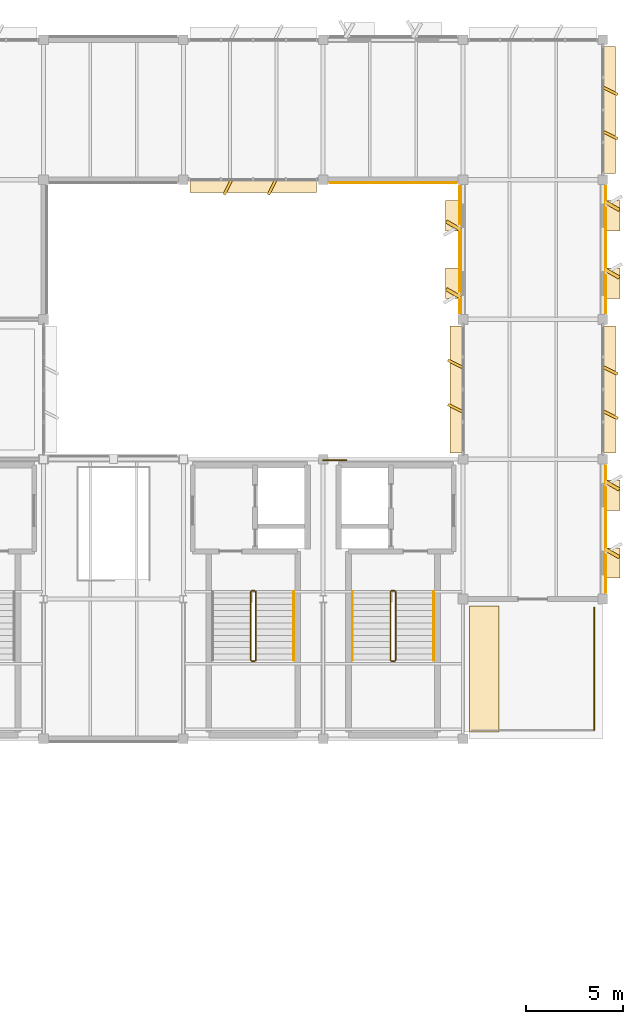
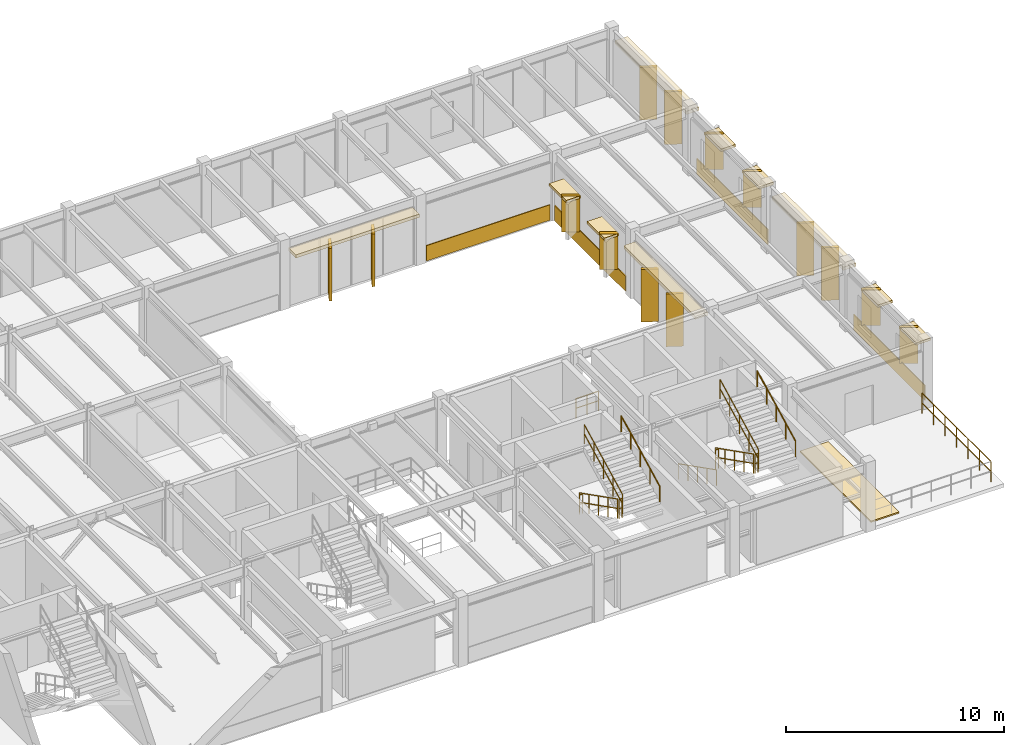
# One storey, part 22 of 23: 29 coverings, 13 railings.
"""IFC4 building model written with IfcOpenShell, lengths in metres."""

from ifc_helpers import new_model, si_unit, direction, frame, frame_2d, origin, origin_2d, place, context, subcontext, project, spatial, polyline, rectangle, circle, outline, extrude, material, layer, layer_set, type_object, element, save


model = new_model("IFC4")

# Units and contexts
model_context = context("Model", 3, precision=1e-05, world=origin(), true_north=direction((0.0, 1.0)))
body_context = subcontext(model_context, "Body", "Model", "MODEL_VIEW")
ifc_project = project(units=[si_unit("LENGTHUNIT", "METRE"), si_unit("AREAUNIT", "SQUARE_METRE"), si_unit("VOLUMEUNIT", "CUBIC_METRE"), si_unit("PLANEANGLEUNIT", "RADIAN"), si_unit("MASSUNIT", "GRAM", prefix="KILO")], contexts=[model_context])

# Site, building, storey
site_placement = place(None, origin())
site = spatial("IfcSite", under=ifc_project, at=site_placement, CompositionType="ELEMENT")
building_placement = place(site_placement, origin())
building = spatial("IfcBuilding", under=site, at=building_placement, Name="Sillqori Civic Hall", CompositionType="ELEMENT")
storey_placement = place(building_placement, frame((0.0, 0.0, 21.89990234375)))
storey = spatial("IfcBuildingStorey", under=building, at=storey_placement, Name="L06", CompositionType="ELEMENT", Elevation=21.89990234375)

# Coverings
ifc_material_1 = material(Name="Cochabamba Honed Limestone Cladding", Category="masonry")
ifc_layer_1 = layer(ifc_material_1, 0.044921875)
ifc_layer_set_1 = layer_set([ifc_layer_1], Name="Cochabamba Honed Limestone Cladding")
covering_type_1 = type_object("IfcCoveringType", Name="COV-CLAD-LIME", PredefinedType="CLADDING", material=ifc_layer_set_1)
covering_1_placement = place(storey_placement, frame((86.070068359375, 107.679931640625, 3.01220703125), z_axis=(0.0, 0.0, 1.0), x_axis=(-1.0, 0.0, 0.0)))
element("IfcCovering", 1, at=covering_1_placement, inside=storey, type_object=covering_type_1, Name="L06 curtain-wall limestone solar hood L06-11-15-S", PredefinedType="CLADDING", context=body_context, shape_type="SweptSolid", body=[
    extrude(rectangle(XDim=6.5400390625, YDim=0.679931640625, at=frame_2d((3.27001953125, 0.0))), origin(), (0.0, 0.0, 1.0), 0.179931640625),
])
for number, where, z_axis, x_axis, name in (
    (2, (83.93896484375, 107.949951171875, 0.06005859375), (0.0, 0.0, 1.0), (-0.44709226377, -0.894487846579, 0.0), "L06 curtain-wall angled stone fin L06-11-15-S.1"),
    (3, (81.660888671875, 107.949951171875, 0.06005859375), (0.0, 0.0, 1.0), (-0.44709226377, -0.894487846579, 0.0), "L06 curtain-wall angled stone fin L06-11-15-S.2"),
):
    element("IfcCovering", number, at=place(storey_placement, frame(where, z_axis=z_axis, x_axis=x_axis)), inside=storey, type_object=covering_type_1, Name=name, PredefinedType="CLADDING", context=body_context, shape_type="SweptSolid", body=[
        extrude(rectangle(XDim=0.804931640625, YDim=0.139892578125, at=frame_2d((0.40234375, 0.0))), origin(), (0.0, 0.0, 1.0), 2.9521484375),
    ])
for number, where, z_axis, x_axis, name in (
    (4, (93.27001953125, 107.840087890625, 0.0400390625), (0.0, 0.0, 1.0), (-1.0, 0.0, 0.0), "L06 limestone spandrel cladding L06-12-15-S"),
    (5, (100.9599609375, 93.27001953125, 0.0400390625), (0.0, 0.0, 1.0), (0.0, -1.0, 0.0), "L06 limestone spandrel cladding L06-13-12-E"),
):
    element("IfcCovering", number, at=place(storey_placement, frame(where, z_axis=z_axis, x_axis=x_axis)), inside=storey, type_object=covering_type_1, Name=name, PredefinedType="CLADDING", context=body_context, shape_type="SweptSolid", body=[
        extrude(rectangle(XDim=6.5400390625, YDim=0.044921875, at=frame_2d((3.27001953125, 0.0))), origin(), (0.0, 0.0, 1.0), 0.860107421875),
    ])
covering_2_placement = place(storey_placement, frame((100.919921875, 92.4619140625, 0.830078125), z_axis=(0.0, 0.0, 1.0), x_axis=(0.866113839764, -0.499846793097, 0.0)))
element("IfcCovering", 6, at=covering_2_placement, inside=storey, type_object=covering_type_1, Name="Sawtooth limestone angled reveal cheek L06-13-12-E.1", PredefinedType="CLADDING", context=body_context, shape_type="SweptSolid", body=[
    extrude(rectangle(XDim=0.849853515625, YDim=0.179931640625, at=frame_2d((0.4248046875, 0.0))), origin(), (0.0, 0.0, 1.0), 2.0),
])
covering_3_placement = place(storey_placement, frame((101.300048828125, 92.52197265625, 2.690185546875), z_axis=(0.0, 0.0, 1.0), x_axis=(0.0, -1.0, 0.0)))
element("IfcCovering", 7, at=covering_3_placement, inside=storey, type_object=covering_type_1, Name="Sawtooth limestone window hood L06-13-12-E.1", PredefinedType="CLADDING", context=body_context, shape_type="SweptSolid", body=[
    extrude(rectangle(XDim=1.56005859375, YDim=0.780029296875, at=frame_2d((0.780029296875, 0.0))), origin(), (0.0, 0.0, 1.0), 0.139892578125),
])
covering_4_placement = place(storey_placement, frame((100.919921875, 88.97802734375, 0.830078125), z_axis=(0.0, 0.0, 1.0), x_axis=(0.865989465428, -0.500062241894, 0.0)))
element("IfcCovering", 8, at=covering_4_placement, inside=storey, type_object=covering_type_1, Name="Sawtooth limestone angled reveal cheek L06-13-12-E.2", PredefinedType="CLADDING", context=body_context, shape_type="SweptSolid", body=[
    extrude(rectangle(XDim=0.85009765625, YDim=0.179931640625, at=frame_2d((0.425048828125, 0.0))), origin(), (0.0, 0.0, 1.0), 2.0),
])
covering_5_placement = place(storey_placement, frame((101.300048828125, 89.0380859375, 2.690185546875), z_axis=(0.0, 0.0, 1.0), x_axis=(0.0, -1.0, 0.0)))
element("IfcCovering", 9, at=covering_5_placement, inside=storey, type_object=covering_type_1, Name="Sawtooth limestone window hood L06-13-12-E.2", PredefinedType="CLADDING", context=body_context, shape_type="SweptSolid", body=[
    extrude(rectangle(XDim=1.56005859375, YDim=0.780029296875, at=frame_2d((0.780029296875, 0.0))), origin(), (0.0, 0.0, 1.0), 0.139892578125),
])
covering_6_placement = place(storey_placement, frame((93.280029296875, 93.929931640625, 3.01220703125), z_axis=(0.0, 0.0, 1.0), x_axis=(0.0, 1.0, 0.0)))
element("IfcCovering", 10, at=covering_6_placement, inside=storey, type_object=covering_type_1, Name="L06 curtain-wall limestone solar hood L06-13-13-W", PredefinedType="CLADDING", context=body_context, shape_type="SweptSolid", body=[
    extrude(rectangle(XDim=6.5400390625, YDim=0.679931640625, at=frame_2d((3.27001953125, 0.0))), origin(), (0.0, 0.0, 1.0), 0.179931640625),
])
for number, where, z_axis, x_axis, name in (
    (11, (93.550048828125, 96.06103515625, 0.06005859375), (0.0, 0.0, 1.0), (-0.894487846579, 0.44709226377, 0.0), "L06 curtain-wall angled stone fin L06-13-13-W.1"),
    (12, (93.550048828125, 98.339111328125, 0.06005859375), (0.0, 0.0, 1.0), (-0.894487846579, 0.44709226377, 0.0), "L06 curtain-wall angled stone fin L06-13-13-W.2"),
):
    element("IfcCovering", number, at=place(storey_placement, frame(where, z_axis=z_axis, x_axis=x_axis)), inside=storey, type_object=covering_type_1, Name=name, PredefinedType="CLADDING", context=body_context, shape_type="SweptSolid", body=[
        extrude(rectangle(XDim=0.804931640625, YDim=0.139892578125, at=frame_2d((0.40234375, 0.0))), origin(), (0.0, 0.0, 1.0), 2.9521484375),
    ])
covering_7_placement = place(storey_placement, frame((101.1201171875, 100.469970703125, 3.01220703125), z_axis=(0.0, 0.0, 1.0), x_axis=(0.0, -1.0, 0.0)))
element("IfcCovering", 13, at=covering_7_placement, inside=storey, type_object=covering_type_1, Name="L06 curtain-wall limestone solar hood L06-13-13-E", PredefinedType="CLADDING", context=body_context, shape_type="SweptSolid", body=[
    extrude(rectangle(XDim=6.5400390625, YDim=0.679931640625, at=frame_2d((3.27001953125, 0.0))), origin(), (0.0, 0.0, 1.0), 0.179931640625),
])
for number, where, z_axis, x_axis, name in (
    (14, (100.85009765625, 98.339111328125, 0.06005859375), (0.0, 0.0, 1.0), (0.894366527193, -0.447334902547, 0.0), "L06 curtain-wall angled stone fin L06-13-13-E.1"),
    (15, (100.85009765625, 96.06103515625, 0.06005859375), (0.0, 0.0, 1.0), (0.894366527193, -0.447334902547, 0.0), "L06 curtain-wall angled stone fin L06-13-13-E.2"),
):
    element("IfcCovering", number, at=place(storey_placement, frame(where, z_axis=z_axis, x_axis=x_axis)), inside=storey, type_object=covering_type_1, Name=name, PredefinedType="CLADDING", context=body_context, shape_type="SweptSolid", body=[
        extrude(rectangle(XDim=0.804931640625, YDim=0.139892578125, at=frame_2d((0.40234375, 0.0))), origin(), (0.0, 0.0, 1.0), 2.9521484375),
    ])
covering_8_placement = place(storey_placement, frame((93.43994140625, 101.1298828125, 0.0400390625), z_axis=(0.0, 0.0, 1.0), x_axis=(0.0, 1.0, 0.0)))
element("IfcCovering", 16, at=covering_8_placement, inside=storey, type_object=covering_type_1, Name="L06 limestone spandrel cladding L06-13-14-W", PredefinedType="CLADDING", context=body_context, shape_type="SweptSolid", body=[
    extrude(rectangle(XDim=6.5400390625, YDim=0.044921875, at=frame_2d((3.27001953125, 0.0))), origin(), (0.0, 0.0, 1.0), 0.860107421875),
])
covering_9_placement = place(storey_placement, frame((93.47998046875, 101.93798828125, 0.830078125), z_axis=(0.0, 0.0, 1.0), x_axis=(-0.865989465428, 0.500062241894, 0.0)))
element("IfcCovering", 17, at=covering_9_placement, inside=storey, type_object=covering_type_1, Name="Sawtooth limestone angled reveal cheek L06-13-14-W.1", PredefinedType="CLADDING", context=body_context, shape_type="SweptSolid", body=[
    extrude(rectangle(XDim=0.85009765625, YDim=0.179931640625, at=frame_2d((0.425048828125, 0.0))), origin(), (0.0, 0.0, 1.0), 2.0),
])
covering_10_placement = place(storey_placement, frame((93.10009765625, 101.8779296875, 2.690185546875), z_axis=(0.0, 0.0, 1.0), x_axis=(0.0, 1.0, 0.0)))
element("IfcCovering", 18, at=covering_10_placement, inside=storey, type_object=covering_type_1, Name="Sawtooth limestone window hood L06-13-14-W.1", PredefinedType="CLADDING", context=body_context, shape_type="SweptSolid", body=[
    extrude(rectangle(XDim=1.56005859375, YDim=0.780029296875, at=frame_2d((0.780029296875, 0.0))), origin(), (0.0, 0.0, 1.0), 0.139892578125),
])
covering_11_placement = place(storey_placement, frame((93.47998046875, 105.422119140625, 0.830078125), z_axis=(0.0, 0.0, 1.0), x_axis=(-0.866113839764, 0.499846793097, 0.0)))
element("IfcCovering", 19, at=covering_11_placement, inside=storey, type_object=covering_type_1, Name="Sawtooth limestone angled reveal cheek L06-13-14-W.2", PredefinedType="CLADDING", context=body_context, shape_type="SweptSolid", body=[
    extrude(rectangle(XDim=0.849853515625, YDim=0.179931640625, at=frame_2d((0.4248046875, 0.0))), origin(), (0.0, 0.0, 1.0), 2.0),
])
covering_12_placement = place(storey_placement, frame((93.10009765625, 105.362060546875, 2.690185546875), z_axis=(0.0, 0.0, 1.0), x_axis=(0.0, 1.0, 0.0)))
element("IfcCovering", 20, at=covering_12_placement, inside=storey, type_object=covering_type_1, Name="Sawtooth limestone window hood L06-13-14-W.2", PredefinedType="CLADDING", context=body_context, shape_type="SweptSolid", body=[
    extrude(rectangle(XDim=1.56005859375, YDim=0.780029296875, at=frame_2d((0.780029296875, 0.0))), origin(), (0.0, 0.0, 1.0), 0.139892578125),
])
covering_13_placement = place(storey_placement, frame((100.9599609375, 107.669921875, 0.0400390625), z_axis=(0.0, 0.0, 1.0), x_axis=(0.0, -1.0, 0.0)))
element("IfcCovering", 21, at=covering_13_placement, inside=storey, type_object=covering_type_1, Name="L06 limestone spandrel cladding L06-13-14-E", PredefinedType="CLADDING", context=body_context, shape_type="SweptSolid", body=[
    extrude(rectangle(XDim=6.5400390625, YDim=0.044921875, at=frame_2d((3.27001953125, 0.0))), origin(), (0.0, 0.0, 1.0), 0.860107421875),
])
covering_14_placement = place(storey_placement, frame((100.919921875, 106.862060546875, 0.830078125), z_axis=(0.0, 0.0, 1.0), x_axis=(0.865989465428, -0.500062241894, 0.0)))
element("IfcCovering", 22, at=covering_14_placement, inside=storey, type_object=covering_type_1, Name="Sawtooth limestone angled reveal cheek L06-13-14-E.1", PredefinedType="CLADDING", context=body_context, shape_type="SweptSolid", body=[
    extrude(rectangle(XDim=0.85009765625, YDim=0.179931640625, at=frame_2d((0.425048828125, 0.0))), origin(), (0.0, 0.0, 1.0), 2.0),
])
covering_15_placement = place(storey_placement, frame((101.300048828125, 106.922119140625, 2.690185546875), z_axis=(0.0, 0.0, 1.0), x_axis=(0.0, -1.0, 0.0)))
element("IfcCovering", 23, at=covering_15_placement, inside=storey, type_object=covering_type_1, Name="Sawtooth limestone window hood L06-13-14-E.1", PredefinedType="CLADDING", context=body_context, shape_type="SweptSolid", body=[
    extrude(rectangle(XDim=1.56005859375, YDim=0.780029296875, at=frame_2d((0.780029296875, 0.0))), origin(), (0.0, 0.0, 1.0), 0.139892578125),
])
covering_16_placement = place(storey_placement, frame((100.919921875, 103.3779296875, 0.830078125), z_axis=(0.0, 0.0, 1.0), x_axis=(0.865989465428, -0.500062241894, 0.0)))
element("IfcCovering", 24, at=covering_16_placement, inside=storey, type_object=covering_type_1, Name="Sawtooth limestone angled reveal cheek L06-13-14-E.2", PredefinedType="CLADDING", context=body_context, shape_type="SweptSolid", body=[
    extrude(rectangle(XDim=0.85009765625, YDim=0.179931640625, at=frame_2d((0.425048828125, 0.0))), origin(), (0.0, 0.0, 1.0), 2.0),
])
covering_17_placement = place(storey_placement, frame((101.300048828125, 103.43798828125, 2.690185546875), z_axis=(0.0, 0.0, 1.0), x_axis=(0.0, -1.0, 0.0)))
element("IfcCovering", 25, at=covering_17_placement, inside=storey, type_object=covering_type_1, Name="Sawtooth limestone window hood L06-13-14-E.2", PredefinedType="CLADDING", context=body_context, shape_type="SweptSolid", body=[
    extrude(rectangle(XDim=1.56005859375, YDim=0.780029296875, at=frame_2d((0.780029296875, 0.0))), origin(), (0.0, 0.0, 1.0), 0.139892578125),
])
covering_18_placement = place(storey_placement, frame((101.1201171875, 114.8701171875, 3.01220703125), z_axis=(0.0, 0.0, 1.0), x_axis=(0.0, -1.0, 0.0)))
element("IfcCovering", 26, at=covering_18_placement, inside=storey, type_object=covering_type_1, Name="L06 curtain-wall limestone solar hood L06-13-15-E", PredefinedType="CLADDING", context=body_context, shape_type="SweptSolid", body=[
    extrude(rectangle(XDim=6.5400390625, YDim=0.679931640625, at=frame_2d((3.27001953125, 0.0))), origin(), (0.0, 0.0, 1.0), 0.179931640625),
])
for number, where, z_axis, x_axis, name in (
    (27, (100.85009765625, 112.739013671875, 0.06005859375), (0.0, 0.0, 1.0), (0.894366527193, -0.447334902547, 0.0), "L06 curtain-wall angled stone fin L06-13-15-E.1"),
    (28, (100.85009765625, 110.4609375, 0.06005859375), (0.0, 0.0, 1.0), (0.894487846579, -0.44709226377, 0.0), "L06 curtain-wall angled stone fin L06-13-15-E.2"),
):
    element("IfcCovering", number, at=place(storey_placement, frame(where, z_axis=z_axis, x_axis=x_axis)), inside=storey, type_object=covering_type_1, Name=name, PredefinedType="CLADDING", context=body_context, shape_type="SweptSolid", body=[
        extrude(rectangle(XDim=0.804931640625, YDim=0.139892578125, at=frame_2d((0.40234375, 0.0))), origin(), (0.0, 0.0, 1.0), 2.9521484375),
    ])
ifc_material_2 = material(Name="Extensive Andean Sedum Roof Substrate", Category="earth")
ifc_layer_2 = layer(ifc_material_2, 0.080078125)
ifc_layer_set_2 = layer_set([ifc_layer_2], Name="Extensive Andean Sedum Roof Substrate")
covering_type_2 = type_object("IfcCoveringType", Name="COV-ROOF-GRN", PredefinedType="ROOFING", material=ifc_layer_set_2)
covering_19_placement = place(storey_placement, origin())
element("IfcCovering", 29, at=covering_19_placement, inside=storey, type_object=covering_type_2, Name="Mayoral East Setback Terrace planted planter bed", PredefinedType="ROOFING", context=body_context, shape_type="SweptSolid", body=[
    extrude(outline(polyline([(93.949951171875, 79.550048828125), (95.449951171875, 79.550048828125), (95.449951171875, 86.050048828125), (93.949951171875, 86.050048828125), (93.949951171875, 79.550048828125)])), origin(), (0.0, 0.0, 1.0), 0.080078125),
])

# Railings
ifc_material_3 = material(Name="Architectural Bronze and Tempered Glass Balustrade", Category="glass")
ifc_layer_3 = layer(ifc_material_3, 0.080078125)
ifc_layer_set_3 = layer_set([ifc_layer_3], Name="Architectural Bronze and Tempered Glass Balustrade")
railing_type_1 = type_object("IfcRailingType", Name="RLG-BALU-115", PredefinedType="BALUSTRADE", material=ifc_layer_set_3)
railing_1_placement = place(storey_placement, frame((100.360107421875, 79.639892578125, 0.0)))
element("IfcRailing", 30, at=railing_1_placement, inside=storey, type_object=railing_type_1, Name="Mayoral East Setback Terrace perimeter guard E-02", PredefinedType="BALUSTRADE", context=body_context, shape_type="SweptSolid", body=[
    extrude(circle(Radius=0.02392578125, at=origin_2d()), frame((0.0, 0.0, 1.1259765625), z_axis=(0.0, 1.0, 0.0), x_axis=(-1.0, 0.0, 0.0)), (0.0, 0.0, 1.0), 6.320068359375),
    extrude(circle(Radius=0.02392578125, at=origin_2d()), frame((0.0, 0.0, 0.574951171875), z_axis=(0.0, 1.0, 0.0), x_axis=(-1.0, 0.0, 0.0)), (0.0, 0.0, 1.0), 6.320068359375),
    extrude(circle(Radius=0.02099609375, at=origin_2d()), origin(), (0.0, 0.0, 1.0), 1.101806640625),
    extrude(circle(Radius=0.02099609375, at=origin_2d()), frame((0.0, 1.05322265625, 0.0)), (0.0, 0.0, 1.0), 1.101806640625),
    extrude(circle(Radius=0.02099609375, at=origin_2d()), frame((0.0, 2.106689453125, 0.0)), (0.0, 0.0, 1.0), 1.101806640625),
    extrude(circle(Radius=0.02099609375, at=origin_2d()), frame((0.0, 3.16015625, 0.0)), (0.0, 0.0, 1.0), 1.101806640625),
    extrude(circle(Radius=0.02099609375, at=origin_2d()), frame((0.0, 4.21337890625, 0.0)), (0.0, 0.0, 1.0), 1.101806640625),
    extrude(circle(Radius=0.02099609375, at=origin_2d()), frame((0.0, 5.2666015625, 0.0)), (0.0, 0.0, 1.0), 1.101806640625),
    extrude(circle(Radius=0.02099609375, at=origin_2d()), frame((0.0, 6.320068359375, 0.0)), (0.0, 0.0, 1.0), 1.101806640625),
])
ifc_material_4 = material(Name="Brushed Stainless Steel 316 Handrail", Category="steel")
ifc_layer_4 = layer(ifc_material_4, 0.044921875)
ifc_layer_set_4 = layer_set([ifc_layer_4], Name="Brushed Stainless Steel 316 Handrail")
railing_type_2 = type_object("IfcRailingType", Name="RLG-CORE-092", PredefinedType="HANDRAIL", material=ifc_layer_set_4)
railing_2_placement = place(storey_placement, frame((84.889892578125, 83.25, 2.112548828125)))
element("IfcRailing", 31, at=railing_2_placement, inside=storey, type_object=railing_type_2, Name="L06 ST-07 stair handrail 2", PredefinedType="HANDRAIL", context=body_context, shape_type="SweptSolid", body=[
    extrude(circle(Radius=0.02392578125, at=origin_2d()), frame((0.0, 0.0, 0.8759765625), z_axis=(0.0, 0.891614535321, 0.452795230103), x_axis=(-1.0, 0.0, 0.0)), (0.0, 0.0, 1.0), 3.947998046875),
    extrude(circle(Radius=0.02099609375, at=origin_2d()), origin(), (0.0, 0.0, 1.0), 0.851806640625),
    extrude(circle(Radius=0.02099609375, at=origin_2d()), frame((0.0, 0.8798828125, 0.44677734375)), (0.0, 0.0, 1.0), 0.851806640625),
    extrude(circle(Radius=0.02099609375, at=origin_2d()), frame((0.0, 1.760009765625, 0.893798828125)), (0.0, 0.0, 1.0), 0.851806640625),
    extrude(circle(Radius=0.02099609375, at=origin_2d()), frame((0.0, 2.64013671875, 1.3408203125)), (0.0, 0.0, 1.0), 0.851806640625),
    extrude(circle(Radius=0.02099609375, at=origin_2d()), frame((0.0, 3.52001953125, 1.78759765625)), (0.0, 0.0, 1.0), 0.851806640625),
])
railing_3_placement = place(storey_placement, frame((87.909912109375, 86.77001953125, 0.16259765625)))
element("IfcRailing", 32, at=railing_3_placement, inside=storey, type_object=railing_type_2, Name="L06 ST-08 stair handrail 1", PredefinedType="HANDRAIL", context=body_context, shape_type="SweptSolid", body=[
    extrude(circle(Radius=0.02392578125, at=origin_2d()), frame((0.0, 0.0, 0.8759765625), z_axis=(0.0, -0.891614535321, 0.452795230103), x_axis=(1.0, 0.0, 0.0)), (0.0, 0.0, 1.0), 3.947998046875),
    extrude(circle(Radius=0.02099609375, at=origin_2d()), origin(), (0.0, 0.0, 1.0), 0.851806640625),
    extrude(circle(Radius=0.02099609375, at=origin_2d()), frame((0.0, -0.8798828125, 0.44677734375)), (0.0, 0.0, 1.0), 0.851806640625),
    extrude(circle(Radius=0.02099609375, at=origin_2d()), frame((0.0, -1.760009765625, 0.893798828125)), (0.0, 0.0, 1.0), 0.851806640625),
    extrude(circle(Radius=0.02099609375, at=origin_2d()), frame((0.0, -2.64013671875, 1.3408203125)), (0.0, 0.0, 1.0), 0.851806640625),
    extrude(circle(Radius=0.02099609375, at=origin_2d()), frame((0.0, -3.52001953125, 1.78759765625)), (0.0, 0.0, 1.0), 0.851806640625),
])
railing_4_placement = place(storey_placement, frame((92.090087890625, 83.25, 2.112548828125)))
element("IfcRailing", 33, at=railing_4_placement, inside=storey, type_object=railing_type_2, Name="L06 ST-08 stair handrail 2", PredefinedType="HANDRAIL", context=body_context, shape_type="SweptSolid", body=[
    extrude(circle(Radius=0.02392578125, at=origin_2d()), frame((0.0, 0.0, 0.8759765625), z_axis=(0.0, 0.891614535321, 0.452795230103), x_axis=(-1.0, 0.0, 0.0)), (0.0, 0.0, 1.0), 3.947998046875),
    extrude(circle(Radius=0.02099609375, at=origin_2d()), origin(), (0.0, 0.0, 1.0), 0.851806640625),
    extrude(circle(Radius=0.02099609375, at=origin_2d()), frame((0.0, 0.8798828125, 0.44677734375)), (0.0, 0.0, 1.0), 0.851806640625),
    extrude(circle(Radius=0.02099609375, at=origin_2d()), frame((0.0, 1.760009765625, 0.893798828125)), (0.0, 0.0, 1.0), 0.851806640625),
    extrude(circle(Radius=0.02099609375, at=origin_2d()), frame((0.0, 2.64013671875, 1.3408203125)), (0.0, 0.0, 1.0), 0.851806640625),
    extrude(circle(Radius=0.02099609375, at=origin_2d()), frame((0.0, 3.52001953125, 1.78759765625)), (0.0, 0.0, 1.0), 0.851806640625),
])
ifc_material_5 = material(Name="Galvanized Painted Steel Guardrail", Category="steel")
ifc_layer_5 = layer(ifc_material_5, 0.050048828125)
ifc_layer_set_5 = layer_set([ifc_layer_5], Name="Galvanized Painted Steel Guardrail")
railing_type_3 = type_object("IfcRailingType", Name="RLG-CORE-110", PredefinedType="GUARDRAIL", material=ifc_layer_set_5)
railing_5_placement = place(storey_placement, frame((82.669921875, 86.77001953125, 0.16259765625)))
element("IfcRailing", 34, at=railing_5_placement, inside=storey, type_object=railing_type_3, Name="L06 ST-07 stair guard 1", PredefinedType="GUARDRAIL", context=body_context, shape_type="SweptSolid", body=[
    extrude(circle(Radius=0.02392578125, at=origin_2d()), frame((0.0, 0.0, 1.076171875), z_axis=(0.0, -0.891614535321, 0.452795230103), x_axis=(1.0, 0.0, 0.0)), (0.0, 0.0, 1.0), 3.947998046875),
    extrude(circle(Radius=0.02392578125, at=origin_2d()), frame((0.0, 0.0, 0.550048828125), z_axis=(0.0, -0.891614535321, 0.452795230103), x_axis=(1.0, 0.0, 0.0)), (0.0, 0.0, 1.0), 3.947998046875),
    extrude(circle(Radius=0.02099609375, at=origin_2d()), origin(), (0.0, 0.0, 1.0), 1.052001953125),
    extrude(circle(Radius=0.02099609375, at=origin_2d()), frame((0.0, -0.8798828125, 0.44677734375)), (0.0, 0.0, 1.0), 1.052001953125),
    extrude(circle(Radius=0.02099609375, at=origin_2d()), frame((0.0, -1.760009765625, 0.893798828125)), (0.0, 0.0, 1.0), 1.052001953125),
    extrude(circle(Radius=0.02099609375, at=origin_2d()), frame((0.0, -2.64013671875, 1.3408203125)), (0.0, 0.0, 1.0), 1.052001953125),
    extrude(circle(Radius=0.02099609375, at=origin_2d()), frame((0.0, -3.52001953125, 1.78759765625)), (0.0, 0.0, 1.0), 1.052001953125),
])
railing_6_placement = place(storey_placement, frame((82.719970703125, 83.199951171875, 1.9501953125)))
element("IfcRailing", 35, at=railing_6_placement, inside=storey, type_object=railing_type_3, Name="L06 ST-07 stair guard 2", PredefinedType="GUARDRAIL", context=body_context, shape_type="SweptSolid", body=[
    extrude(circle(Radius=0.02392578125, at=origin_2d()), frame((0.0, 0.0, 1.076171875), z_axis=(1.0, 0.0, 0.0), x_axis=(0.0, 1.0, 0.0)), (0.0, 0.0, 1.0), 0.159912109375),
    extrude(circle(Radius=0.02392578125, at=origin_2d()), frame((0.0, 0.0, 0.550048828125), z_axis=(1.0, 0.0, 0.0), x_axis=(0.0, 1.0, 0.0)), (0.0, 0.0, 1.0), 0.159912109375),
    extrude(circle(Radius=0.02099609375, at=origin_2d()), origin(), (0.0, 0.0, 1.0), 1.052001953125),
    extrude(circle(Radius=0.02099609375, at=origin_2d()), frame((0.159912109375, 0.0, 0.0)), (0.0, 0.0, 1.0), 1.052001953125),
])
railing_7_placement = place(storey_placement, frame((82.929931640625, 83.25, 2.112548828125)))
element("IfcRailing", 36, at=railing_7_placement, inside=storey, type_object=railing_type_3, Name="L06 ST-07 stair guard 3", PredefinedType="GUARDRAIL", context=body_context, shape_type="SweptSolid", body=[
    extrude(circle(Radius=0.02392578125, at=origin_2d()), frame((0.0, 0.0, 1.076171875), z_axis=(0.0, 0.891614535321, 0.452795230103), x_axis=(-1.0, 0.0, 0.0)), (0.0, 0.0, 1.0), 3.947998046875),
    extrude(circle(Radius=0.02392578125, at=origin_2d()), frame((0.0, 0.0, 0.550048828125), z_axis=(0.0, 0.891614535321, 0.452795230103), x_axis=(-1.0, 0.0, 0.0)), (0.0, 0.0, 1.0), 3.947998046875),
    extrude(circle(Radius=0.02099609375, at=origin_2d()), origin(), (0.0, 0.0, 1.0), 1.052001953125),
    extrude(circle(Radius=0.02099609375, at=origin_2d()), frame((0.0, 0.8798828125, 0.44677734375)), (0.0, 0.0, 1.0), 1.052001953125),
    extrude(circle(Radius=0.02099609375, at=origin_2d()), frame((0.0, 1.760009765625, 0.893798828125)), (0.0, 0.0, 1.0), 1.052001953125),
    extrude(circle(Radius=0.02099609375, at=origin_2d()), frame((0.0, 2.64013671875, 1.3408203125)), (0.0, 0.0, 1.0), 1.052001953125),
    extrude(circle(Radius=0.02099609375, at=origin_2d()), frame((0.0, 3.52001953125, 1.78759765625)), (0.0, 0.0, 1.0), 1.052001953125),
])
railing_8_placement = place(storey_placement, frame((82.719970703125, 86.820068359375, 0.0)))
element("IfcRailing", 37, at=railing_8_placement, inside=storey, type_object=railing_type_3, Name="L06 ST-07 stair guard 4", PredefinedType="GUARDRAIL", context=body_context, shape_type="SweptSolid", body=[
    extrude(circle(Radius=0.02392578125, at=origin_2d()), frame((0.0, 0.0, 1.076171875), z_axis=(1.0, 0.0, 0.0), x_axis=(0.0, 1.0, 0.0)), (0.0, 0.0, 1.0), 0.159912109375),
    extrude(circle(Radius=0.02392578125, at=origin_2d()), frame((0.0, 0.0, 0.550048828125), z_axis=(1.0, 0.0, 0.0), x_axis=(0.0, 1.0, 0.0)), (0.0, 0.0, 1.0), 0.159912109375),
    extrude(circle(Radius=0.02099609375, at=origin_2d()), origin(), (0.0, 0.0, 1.0), 1.052001953125),
    extrude(circle(Radius=0.02099609375, at=origin_2d()), frame((0.159912109375, 0.0, 0.0)), (0.0, 0.0, 1.0), 1.052001953125),
])
railing_9_placement = place(storey_placement, frame((89.8701171875, 86.77001953125, 0.16259765625)))
element("IfcRailing", 38, at=railing_9_placement, inside=storey, type_object=railing_type_3, Name="L06 ST-08 stair guard 1", PredefinedType="GUARDRAIL", context=body_context, shape_type="SweptSolid", body=[
    extrude(circle(Radius=0.02392578125, at=origin_2d()), frame((0.0, 0.0, 1.076171875), z_axis=(0.0, -0.891614535321, 0.452795230103), x_axis=(1.0, 0.0, 0.0)), (0.0, 0.0, 1.0), 3.947998046875),
    extrude(circle(Radius=0.02392578125, at=origin_2d()), frame((0.0, 0.0, 0.550048828125), z_axis=(0.0, -0.891614535321, 0.452795230103), x_axis=(1.0, 0.0, 0.0)), (0.0, 0.0, 1.0), 3.947998046875),
    extrude(circle(Radius=0.02099609375, at=origin_2d()), origin(), (0.0, 0.0, 1.0), 1.052001953125),
    extrude(circle(Radius=0.02099609375, at=origin_2d()), frame((0.0, -0.8798828125, 0.44677734375)), (0.0, 0.0, 1.0), 1.052001953125),
    extrude(circle(Radius=0.02099609375, at=origin_2d()), frame((0.0, -1.760009765625, 0.893798828125)), (0.0, 0.0, 1.0), 1.052001953125),
    extrude(circle(Radius=0.02099609375, at=origin_2d()), frame((0.0, -2.64013671875, 1.3408203125)), (0.0, 0.0, 1.0), 1.052001953125),
    extrude(circle(Radius=0.02099609375, at=origin_2d()), frame((0.0, -3.52001953125, 1.78759765625)), (0.0, 0.0, 1.0), 1.052001953125),
])
railing_10_placement = place(storey_placement, frame((89.919921875, 83.199951171875, 1.9501953125)))
element("IfcRailing", 39, at=railing_10_placement, inside=storey, type_object=railing_type_3, Name="L06 ST-08 stair guard 2", PredefinedType="GUARDRAIL", context=body_context, shape_type="SweptSolid", body=[
    extrude(circle(Radius=0.02392578125, at=origin_2d()), frame((0.0, 0.0, 1.076171875), z_axis=(1.0, 0.0, 0.0), x_axis=(0.0, 1.0, 0.0)), (0.0, 0.0, 1.0), 0.16015625),
    extrude(circle(Radius=0.02392578125, at=origin_2d()), frame((0.0, 0.0, 0.550048828125), z_axis=(1.0, 0.0, 0.0), x_axis=(0.0, 1.0, 0.0)), (0.0, 0.0, 1.0), 0.16015625),
    extrude(circle(Radius=0.02099609375, at=origin_2d()), origin(), (0.0, 0.0, 1.0), 1.052001953125),
    extrude(circle(Radius=0.02099609375, at=origin_2d()), frame((0.16015625, 0.0, 0.0)), (0.0, 0.0, 1.0), 1.052001953125),
])
railing_11_placement = place(storey_placement, frame((90.1298828125, 83.25, 2.112548828125)))
element("IfcRailing", 40, at=railing_11_placement, inside=storey, type_object=railing_type_3, Name="L06 ST-08 stair guard 3", PredefinedType="GUARDRAIL", context=body_context, shape_type="SweptSolid", body=[
    extrude(circle(Radius=0.02392578125, at=origin_2d()), frame((0.0, 0.0, 1.076171875), z_axis=(0.0, 0.891614535321, 0.452795230103), x_axis=(-1.0, 0.0, 0.0)), (0.0, 0.0, 1.0), 3.947998046875),
    extrude(circle(Radius=0.02392578125, at=origin_2d()), frame((0.0, 0.0, 0.550048828125), z_axis=(0.0, 0.891614535321, 0.452795230103), x_axis=(-1.0, 0.0, 0.0)), (0.0, 0.0, 1.0), 3.947998046875),
    extrude(circle(Radius=0.02099609375, at=origin_2d()), origin(), (0.0, 0.0, 1.0), 1.052001953125),
    extrude(circle(Radius=0.02099609375, at=origin_2d()), frame((0.0, 0.8798828125, 0.44677734375)), (0.0, 0.0, 1.0), 1.052001953125),
    extrude(circle(Radius=0.02099609375, at=origin_2d()), frame((0.0, 1.760009765625, 0.893798828125)), (0.0, 0.0, 1.0), 1.052001953125),
    extrude(circle(Radius=0.02099609375, at=origin_2d()), frame((0.0, 2.64013671875, 1.3408203125)), (0.0, 0.0, 1.0), 1.052001953125),
    extrude(circle(Radius=0.02099609375, at=origin_2d()), frame((0.0, 3.52001953125, 1.78759765625)), (0.0, 0.0, 1.0), 1.052001953125),
])
railing_12_placement = place(storey_placement, frame((89.919921875, 86.820068359375, 0.0)))
element("IfcRailing", 41, at=railing_12_placement, inside=storey, type_object=railing_type_3, Name="L06 ST-08 stair guard 4", PredefinedType="GUARDRAIL", context=body_context, shape_type="SweptSolid", body=[
    extrude(circle(Radius=0.02392578125, at=origin_2d()), frame((0.0, 0.0, 1.076171875), z_axis=(1.0, 0.0, 0.0), x_axis=(0.0, 1.0, 0.0)), (0.0, 0.0, 1.0), 0.16015625),
    extrude(circle(Radius=0.02392578125, at=origin_2d()), frame((0.0, 0.0, 0.550048828125), z_axis=(1.0, 0.0, 0.0), x_axis=(0.0, 1.0, 0.0)), (0.0, 0.0, 1.0), 0.16015625),
    extrude(circle(Radius=0.02099609375, at=origin_2d()), origin(), (0.0, 0.0, 1.0), 1.052001953125),
    extrude(circle(Radius=0.02099609375, at=origin_2d()), frame((0.16015625, 0.0, 0.0)), (0.0, 0.0, 1.0), 1.052001953125),
])
ifc_material_6 = material(Name="Stainless Steel 316 and Laminated Balustrade", Category="steel")
ifc_layer_6 = layer(ifc_material_6, 0.06005859375)
ifc_layer_set_6 = layer_set([ifc_layer_6], Name="Stainless Steel 316 and Laminated Balustrade")
railing_type_4 = type_object("IfcRailingType", Name="RLG-TERR-112", PredefinedType="GUARDRAIL", material=ifc_layer_set_6)
railing_13_placement = place(storey_placement, frame((86.39990234375, 93.550048828125, 0.0)))
element("IfcRailing", 42, at=railing_13_placement, inside=storey, type_object=railing_type_4, Name="L06 north core C8 corner guardrail", PredefinedType="GUARDRAIL", context=body_context, shape_type="SweptSolid", body=[
    extrude(circle(Radius=0.02392578125, at=origin_2d()), frame((0.0, 0.0, 1.09619140625), z_axis=(1.0, 0.0, 0.0), x_axis=(0.0, 1.0, 0.0)), (0.0, 0.0, 1.0), 1.2001953125),
    extrude(circle(Radius=0.02392578125, at=origin_2d()), frame((0.0, 0.0, 0.56005859375), z_axis=(1.0, 0.0, 0.0), x_axis=(0.0, 1.0, 0.0)), (0.0, 0.0, 1.0), 1.2001953125),
    extrude(circle(Radius=0.02099609375, at=origin_2d()), origin(), (0.0, 0.0, 1.0), 1.072021484375),
    extrude(circle(Radius=0.02099609375, at=origin_2d()), frame((0.60009765625, 0.0, 0.0)), (0.0, 0.0, 1.0), 1.072021484375),
    extrude(circle(Radius=0.02099609375, at=origin_2d()), frame((1.2001953125, 0.0, 0.0)), (0.0, 0.0, 1.0), 1.072021484375),
])

save(model, "model.ifc")
